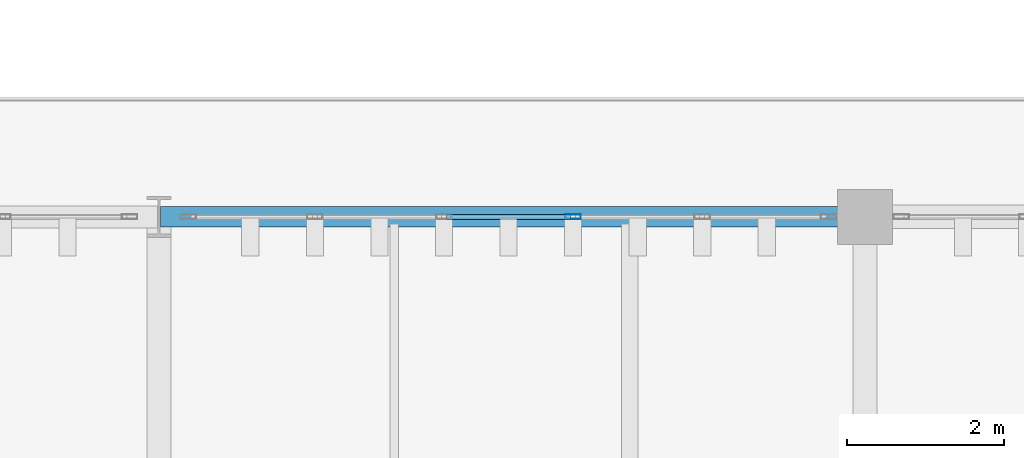
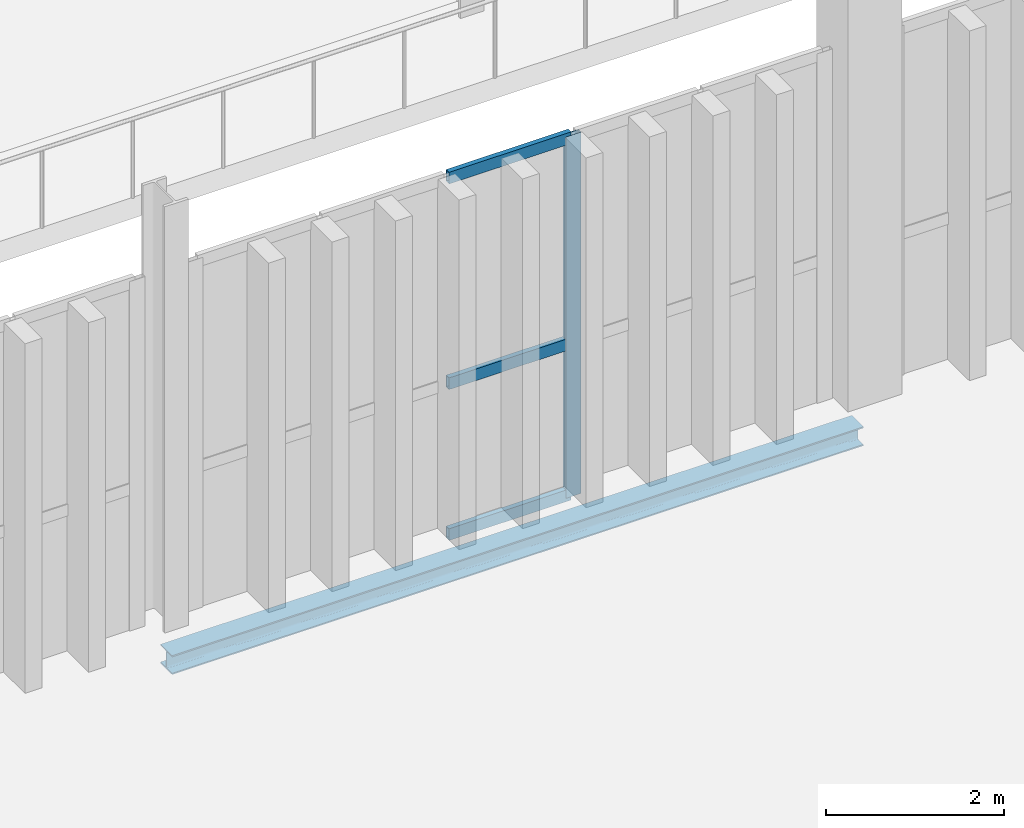
# One storey, part 65 of 211: 4 members, 1 beam, 1 element without a shape of its own.
"""IFC4 building model written with IfcOpenShell, lengths in metres."""

from ifc_helpers import new_model, si_unit, direction, frame, origin, origin_2d, place, context, subcontext, project, spatial, hollow_rectangle, i_section, extrude, material, layer, layer_set, material_profile, profile_set, type_object, element, aggregate, save


model = new_model("IFC4")

# Units and contexts
model_context = context("Model", 3, precision=1e-05, world=origin(), true_north=direction((0.0, 1.0)))
body_context = subcontext(model_context, "Body", "Model", "MODEL_VIEW")
ifc_project = project(units=[si_unit("LENGTHUNIT", "METRE"), si_unit("AREAUNIT", "SQUARE_METRE"), si_unit("VOLUMEUNIT", "CUBIC_METRE"), si_unit("PLANEANGLEUNIT", "RADIAN"), si_unit("MASSUNIT", "GRAM", prefix="KILO")], contexts=[model_context])

# Site, building, storey
site_placement = place(None, origin())
site = spatial("IfcSite", under=ifc_project, at=site_placement, CompositionType="ELEMENT")
building_placement = place(site_placement, origin())
building = spatial("IfcBuilding", under=site, at=building_placement, Name="Barlavento Convention Centre", CompositionType="ELEMENT")
storey_placement = place(building_placement, frame((0.0, 0.0, 6.0)))
storey = spatial("IfcBuildingStorey", under=building, at=storey_placement, Name="L01", CompositionType="ELEMENT", Elevation=6.0)

# Curtain wall, members
ifc_material_1 = material(Name="Powder-coated aluminium and Low-E glass", Category="aluminium")
ifc_layer = layer(ifc_material_1, 0.195068359375)
ifc_layer_set = layer_set([ifc_layer], Name="ARC-CW-FOY-L01")
curtain_wall_type = type_object("IfcCurtainWallType", Name="ARC-CW-FOY-L01", PredefinedType="NOTDEFINED", material=ifc_layer_set)
curtain_wall_placement = place(storey_placement, origin())
curtain_wall = element("IfcCurtainWall", 1, at=curtain_wall_placement, inside=storey, type_object=curtain_wall_type, Name="L01 unitised curtain wall CW03", PredefinedType="NOTDEFINED")
ifc_material_2 = material(Name="Powder-coated aluminium", Category="aluminium")
ifc_material_profile_1 = material_profile(ifc_material_2, hollow_rectangle(XDim=0.06494140625, YDim=0.199951171875, WallThickness=0.0048828125, at=origin_2d()), Name="AL-MULL 65x200x5")
ifc_profile_set_1 = profile_set([ifc_material_profile_1], Name="Powder-coated aluminium")
member_type_1 = type_object("IfcMemberType", Name="ARC-CWM-65X200", PredefinedType="MULLION", material=ifc_profile_set_1)
member_1_placement = place(storey_placement, frame((95.27880859375, 45.0, 0.0), z_axis=(0.0, 0.0, 1.0), x_axis=(0.0, 1.0, 0.0)))
member_1 = element("IfcMember", 2, at=member_1_placement, type_object=member_type_1, Name="CW03 mullion 4", PredefinedType="MULLION", context=body_context, shape_type="SweptSolid", body=[
    extrude(hollow_rectangle(XDim=0.06494140625, YDim=0.199951171875, WallThickness=0.0048828125, at=origin_2d()), origin(), (0.0, 0.0, 1.0), 4.949951171875),
])
ifc_material_profile_2 = material_profile(ifc_material_2, hollow_rectangle(XDim=0.06494140625, YDim=0.159912109375, WallThickness=0.0048828125, at=origin_2d()), Name="AL-TRAN 65x160x5")
ifc_profile_set_2 = profile_set([ifc_material_profile_2], Name="Powder-coated aluminium")
member_type_2 = type_object("IfcMemberType", Name="ARC-CWT-65X160", PredefinedType="USERDEFINED", material=ifc_profile_set_2)
member_2_placement = place(storey_placement, frame((93.665771484375, 45.0, 0.032470703125), z_axis=(1.0, 0.0, 0.0), x_axis=(0.0, 1.0, 0.0)))
member_2 = element("IfcMember", 3, at=member_2_placement, type_object=member_type_2, Name="CW03 transom 3.1", ObjectType="TRANSOM", PredefinedType="USERDEFINED", context=body_context, shape_type="SweptSolid", body=[
    extrude(hollow_rectangle(XDim=0.06494140625, YDim=0.159912109375, WallThickness=0.0048828125, at=origin_2d()), origin(), (0.0, 0.0, 1.0), 1.58056640625),
])
member_3_placement = place(storey_placement, frame((93.665771484375, 45.0, 2.10009765625), z_axis=(1.0, 0.0, 0.0), x_axis=(0.0, 1.0, 0.0)))
member_3 = element("IfcMember", 4, at=member_3_placement, type_object=member_type_2, Name="CW03 transom 3.2", ObjectType="TRANSOM", PredefinedType="USERDEFINED", context=body_context, shape_type="SweptSolid", body=[
    extrude(hollow_rectangle(XDim=0.06494140625, YDim=0.159912109375, WallThickness=0.0048828125, at=origin_2d()), origin(), (0.0, 0.0, 1.0), 1.58056640625),
])
member_4_placement = place(storey_placement, frame((93.665771484375, 45.0, 4.91748046875), z_axis=(1.0, 0.0, 0.0), x_axis=(0.0, 1.0, 0.0)))
member_4 = element("IfcMember", 5, at=member_4_placement, type_object=member_type_2, Name="CW03 transom 3.3", ObjectType="TRANSOM", PredefinedType="USERDEFINED", context=body_context, shape_type="SweptSolid", body=[
    extrude(hollow_rectangle(XDim=0.06494140625, YDim=0.159912109375, WallThickness=0.0048828125, at=origin_2d()), origin(), (0.0, 0.0, 1.0), 1.58056640625),
])
aggregate(curtain_wall, [member_1, member_2, member_3, member_4])

# Beam
ifc_material_3 = material(Name="Steel S355", Category="steel")
ifc_material_profile_3 = material_profile(ifc_material_3, i_section(OverallWidth=0.260009765625, OverallDepth=0.260009765625, WebThickness=0.010009765625, FlangeThickness=0.017578125, FilletRadius=0.02392578125, at=origin_2d()), Name="HEB 260")
ifc_profile_set_3 = profile_set([ifc_material_profile_3], Name="Steel S355")
beam_type = type_object("IfcBeamType", Name="STR-BM-PRI-HEB260", PredefinedType="BEAM", material=ifc_profile_set_3)
beam_placement = place(storey_placement, frame((90.02001953125, 45.0, -0.419921875), z_axis=(1.0, 0.0, 0.0), x_axis=(0.0, 1.0, 0.0)))
element("IfcBeam", 6, at=beam_placement, inside=storey, type_object=beam_type, Name="L01 primary girder BG16", PredefinedType="BEAM", context=body_context, shape_type="SweptSolid", body=[
    extrude(i_section(OverallWidth=0.260009765625, OverallDepth=0.260009765625, WebThickness=0.010009765625, FlangeThickness=0.017578125, FilletRadius=0.02392578125, at=origin_2d()), origin(), (0.0, 0.0, 1.0), 8.9599609375),
])

save(model, "model.ifc")
